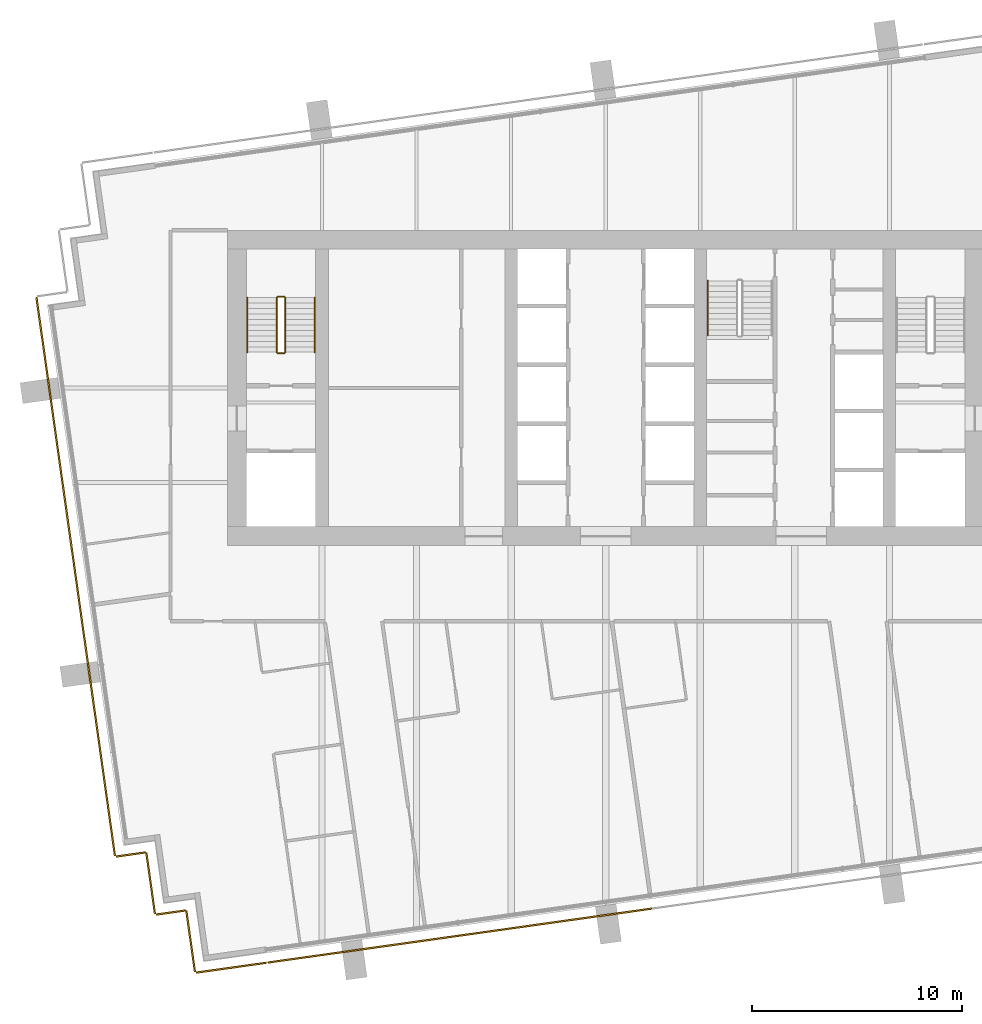
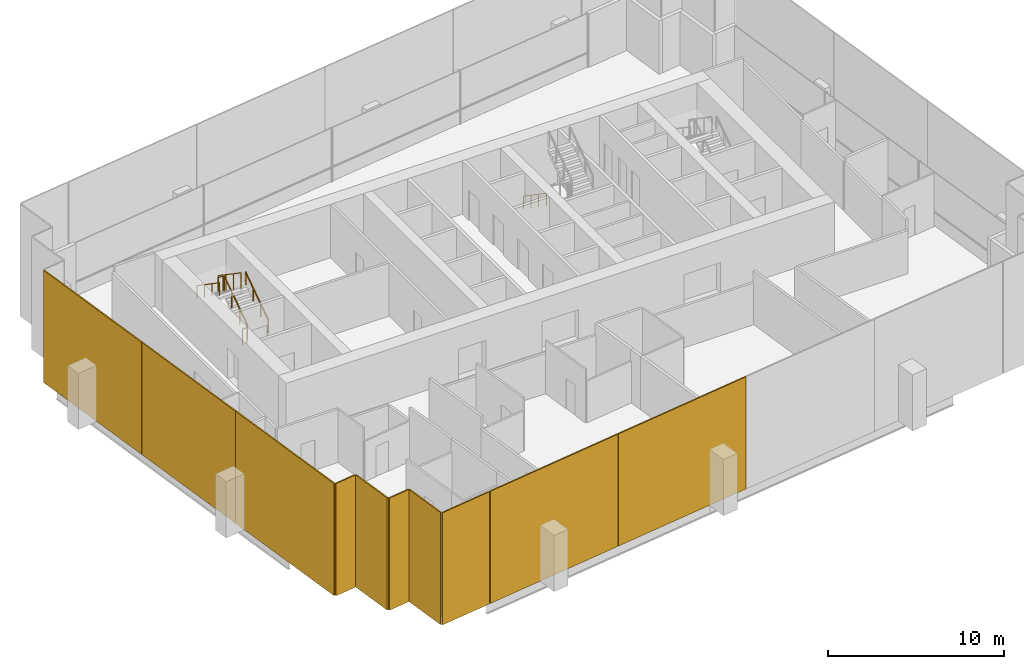
# One storey, part 12 of 15: 10 coverings, 7 railings.
"""IFC4 building model written with IfcOpenShell, lengths in metres."""

from ifc_helpers import new_model, si_unit, direction, frame, origin, origin_2d, place, context, subcontext, project, spatial, rectangle, extrude, material, layer, layer_set, type_object, element, save


model = new_model("IFC4")

# Units and contexts
model_context = context("Model", 3, precision=1e-05, world=origin(), true_north=direction((0.0, 1.0)))
body_context = subcontext(model_context, "Body", "Model", "MODEL_VIEW")
ifc_project = project(units=[si_unit("LENGTHUNIT", "METRE"), si_unit("AREAUNIT", "SQUARE_METRE"), si_unit("VOLUMEUNIT", "CUBIC_METRE"), si_unit("PLANEANGLEUNIT", "RADIAN"), si_unit("MASSUNIT", "GRAM", prefix="KILO")], contexts=[model_context])

# Site, building, storey
site_placement = place(None, origin())
site = spatial("IfcSite", under=ifc_project, at=site_placement, CompositionType="ELEMENT")
building_placement = place(site_placement, origin())
building = spatial("IfcBuilding", under=site, at=building_placement, Name="Rattan Terrace Tower", CompositionType="ELEMENT")
storey_placement = place(building_placement, frame((0.0, 0.0, 266.800048828125)))
storey = spatial("IfcBuildingStorey", under=building, at=storey_placement, Name="L61", CompositionType="ELEMENT", Elevation=266.800048828125)

# Railings
ifc_material_1 = material(Name="Powder-coated steel guard", Category="steel")
railing_type_1 = type_object("IfcRailingType", Name="Core stair guard", PredefinedType="GUARDRAIL", material=ifc_material_1)
railing_1_placement = place(storey_placement, frame((-15.25, 1.699951171875, 0.17724609375)))
element("IfcRailing", 1, at=railing_1_placement, inside=storey, type_object=railing_type_1, Name="L61 S1 stair guard 1", PredefinedType="GUARDRAIL", context=body_context, shape_type="SweptSolid", body=[
    extrude(rectangle(XDim=0.048095703125, YDim=0.048095703125, at=origin_2d()), frame((0.0, 0.0, 1.076171875), z_axis=(0.0, 0.826240473404, 0.563317565952), x_axis=(-1.0, 0.0, 0.0)), (0.0, 0.0, 1.0), 3.14697265625),
    extrude(rectangle(XDim=0.0419921875, YDim=0.0419921875, at=origin_2d()), origin(), (0.0, 0.0, 1.0), 1.052001953125),
    extrude(rectangle(XDim=0.0419921875, YDim=0.0419921875, at=origin_2d()), frame((0.0, 0.86669921875, 0.5908203125)), (0.0, 0.0, 1.0), 1.052001953125),
    extrude(rectangle(XDim=0.0419921875, YDim=0.0419921875, at=origin_2d()), frame((0.0, 1.7333984375, 1.181884765625)), (0.0, 0.0, 1.0), 1.052001953125),
    extrude(rectangle(XDim=0.0419921875, YDim=0.0419921875, at=origin_2d()), frame((0.0, 2.60009765625, 1.772705078125)), (0.0, 0.0, 1.0), 1.052001953125),
])
railing_2_placement = place(storey_placement, frame((-15.300048828125, 4.35009765625, 1.949951171875)))
element("IfcRailing", 2, at=railing_2_placement, inside=storey, type_object=railing_type_1, Name="L61 S1 stair guard 2", PredefinedType="GUARDRAIL", context=body_context, shape_type="SweptSolid", body=[
    extrude(rectangle(XDim=0.048095703125, YDim=0.048095703125, at=origin_2d()), frame((0.0, 0.0, 1.076171875), z_axis=(-1.0, 0.0, 0.0), x_axis=(0.0, -1.0, 0.0)), (0.0, 0.0, 1.0), 0.300048828125),
    extrude(rectangle(XDim=0.0419921875, YDim=0.0419921875, at=origin_2d()), origin(), (0.0, 0.0, 1.0), 1.052001953125),
    extrude(rectangle(XDim=0.0419921875, YDim=0.0419921875, at=origin_2d()), frame((-0.300048828125, 0.0, 0.0)), (0.0, 0.0, 1.0), 1.052001953125),
])
railing_3_placement = place(storey_placement, frame((-15.64990234375, 4.300048828125, 2.127197265625)))
element("IfcRailing", 3, at=railing_3_placement, inside=storey, type_object=railing_type_1, Name="L61 S1 stair guard 3", PredefinedType="GUARDRAIL", context=body_context, shape_type="SweptSolid", body=[
    extrude(rectangle(XDim=0.048095703125, YDim=0.048095703125, at=origin_2d()), frame((0.0, 0.0, 1.076171875), z_axis=(0.0, -0.826240473404, 0.563317565952), x_axis=(1.0, 0.0, 0.0)), (0.0, 0.0, 1.0), 3.14697265625),
    extrude(rectangle(XDim=0.0419921875, YDim=0.0419921875, at=origin_2d()), origin(), (0.0, 0.0, 1.0), 1.052001953125),
    extrude(rectangle(XDim=0.0419921875, YDim=0.0419921875, at=origin_2d()), frame((0.0, -0.86669921875, 0.5908203125)), (0.0, 0.0, 1.0), 1.052001953125),
    extrude(rectangle(XDim=0.0419921875, YDim=0.0419921875, at=origin_2d()), frame((0.0, -1.7333984375, 1.181884765625)), (0.0, 0.0, 1.0), 1.052001953125),
    extrude(rectangle(XDim=0.0419921875, YDim=0.0419921875, at=origin_2d()), frame((0.0, -2.60009765625, 1.772705078125)), (0.0, 0.0, 1.0), 1.052001953125),
])
railing_4_placement = place(storey_placement, frame((-15.300048828125, 1.64990234375, 0.0)))
element("IfcRailing", 4, at=railing_4_placement, inside=storey, type_object=railing_type_1, Name="L61 S1 stair guard 4", PredefinedType="GUARDRAIL", context=body_context, shape_type="SweptSolid", body=[
    extrude(rectangle(XDim=0.048095703125, YDim=0.048095703125, at=origin_2d()), frame((0.0, 0.0, 1.076171875), z_axis=(-1.0, 0.0, 0.0), x_axis=(0.0, -1.0, 0.0)), (0.0, 0.0, 1.0), 0.300048828125),
    extrude(rectangle(XDim=0.0419921875, YDim=0.0419921875, at=origin_2d()), origin(), (0.0, 0.0, 1.0), 1.052001953125),
    extrude(rectangle(XDim=0.0419921875, YDim=0.0419921875, at=origin_2d()), frame((-0.300048828125, 0.0, 0.0)), (0.0, 0.0, 1.0), 1.052001953125),
])
ifc_material_2 = material(Name="Powder-coated steel handrail", Category="steel")
railing_type_2 = type_object("IfcRailingType", Name="Core stair handrail", PredefinedType="HANDRAIL", material=ifc_material_2)
railing_5_placement = place(storey_placement, frame((-13.85009765625, 1.699951171875, 0.17724609375)))
element("IfcRailing", 5, at=railing_5_placement, inside=storey, type_object=railing_type_2, Name="L61 S1 stair handrail 1", PredefinedType="HANDRAIL", context=body_context, shape_type="SweptSolid", body=[
    extrude(rectangle(XDim=0.048095703125, YDim=0.048095703125, at=origin_2d()), frame((0.0, 0.0, 0.8759765625), z_axis=(0.0, 0.826240473404, 0.563317565952), x_axis=(-1.0, 0.0, 0.0)), (0.0, 0.0, 1.0), 3.14697265625),
    extrude(rectangle(XDim=0.0419921875, YDim=0.0419921875, at=origin_2d()), origin(), (0.0, 0.0, 1.0), 0.851806640625),
    extrude(rectangle(XDim=0.0419921875, YDim=0.0419921875, at=origin_2d()), frame((0.0, 0.86669921875, 0.5908203125)), (0.0, 0.0, 1.0), 0.851806640625),
    extrude(rectangle(XDim=0.0419921875, YDim=0.0419921875, at=origin_2d()), frame((0.0, 1.7333984375, 1.181884765625)), (0.0, 0.0, 1.0), 0.851806640625),
    extrude(rectangle(XDim=0.0419921875, YDim=0.0419921875, at=origin_2d()), frame((0.0, 2.60009765625, 1.772705078125)), (0.0, 0.0, 1.0), 0.851806640625),
])
for number, where, name in (
    (6, (-17.050048828125, 4.300048828125, 2.127197265625), "L61 S1 stair handrail 2"),
    (7, (4.85009765625, 5.10009765625, 0.17724609375), "L61 S3 stair handrail 1"),
):
    element("IfcRailing", number, at=place(storey_placement, frame(where)), inside=storey, type_object=railing_type_2, Name=name, PredefinedType="HANDRAIL", context=body_context, shape_type="SweptSolid", body=[
        extrude(rectangle(XDim=0.048095703125, YDim=0.048095703125, at=origin_2d()), frame((0.0, 0.0, 0.8759765625), z_axis=(0.0, -0.826240473404, 0.563317565952), x_axis=(1.0, 0.0, 0.0)), (0.0, 0.0, 1.0), 3.14697265625),
        extrude(rectangle(XDim=0.0419921875, YDim=0.0419921875, at=origin_2d()), origin(), (0.0, 0.0, 1.0), 0.851806640625),
        extrude(rectangle(XDim=0.0419921875, YDim=0.0419921875, at=origin_2d()), frame((0.0, -0.86669921875, 0.5908203125)), (0.0, 0.0, 1.0), 0.851806640625),
        extrude(rectangle(XDim=0.0419921875, YDim=0.0419921875, at=origin_2d()), frame((0.0, -1.7333984375, 1.181884765625)), (0.0, 0.0, 1.0), 0.851806640625),
        extrude(rectangle(XDim=0.0419921875, YDim=0.0419921875, at=origin_2d()), frame((0.0, -2.60009765625, 1.772705078125)), (0.0, 0.0, 1.0), 0.851806640625),
    ])

# Coverings
ifc_material_3 = material(Name="Perforated terracotta", Category="masonry")
ifc_layer = layer(ifc_material_3, 0.080078125)
ifc_layer_set = layer_set([ifc_layer], Name="Facade Terracotta Screen Panel HZ")
covering_type = type_object("IfcCoveringType", Name="Facade Terracotta Screen Panel HZ", PredefinedType="CLADDING", material=ifc_layer_set)
covering_1_placement = place(storey_placement, frame((-26.45263671875, -0.183349609375, -0.18994140625), z_axis=(0.0, 0.0, 1.0), x_axis=(0.139191775431, -0.990265444036, 0.0)))
element("IfcCovering", 8, at=covering_1_placement, inside=storey, type_object=covering_type, Name="OUTER SKIN panel L61-23", PredefinedType="CLADDING", context=body_context, shape_type="SweptSolid", body=[
    extrude(rectangle(XDim=9.06689453125, YDim=0.080078125, at=origin_2d()), origin(), (0.0, 0.0, 1.0), 7.780029296875),
])
covering_2_placement = place(storey_placement, frame((-25.217041015625, -8.973876953125, -0.18994140625), z_axis=(0.0, 0.0, 1.0), x_axis=(0.139191775431, -0.990265444036, 0.0)))
element("IfcCovering", 9, at=covering_2_placement, inside=storey, type_object=covering_type, Name="OUTER SKIN panel L61-24", PredefinedType="CLADDING", context=body_context, shape_type="SweptSolid", body=[
    extrude(rectangle(XDim=8.64697265625, YDim=0.080078125, at=origin_2d()), origin(), (0.0, 0.0, 1.0), 7.780029296875),
])
covering_3_placement = place(storey_placement, frame((-23.9814453125, -17.76416015625, -0.18994140625), z_axis=(0.0, 0.0, 1.0), x_axis=(0.139191775431, -0.990265444036, 0.0)))
element("IfcCovering", 10, at=covering_3_placement, inside=storey, type_object=covering_type, Name="OUTER SKIN panel L61-25", PredefinedType="CLADDING", context=body_context, shape_type="SweptSolid", body=[
    extrude(rectangle(XDim=9.066162109375, YDim=0.080078125, at=origin_2d()), origin(), (0.0, 0.0, 1.0), 7.780029296875),
])
covering_4_placement = place(storey_placement, frame((-22.591064453125, -22.19677734375, -0.18994140625), z_axis=(0.0, 0.0, 1.0), x_axis=(0.990240767803, 0.139367219175, 0.0)))
element("IfcCovering", 11, at=covering_4_placement, inside=storey, type_object=covering_type, Name="OUTER SKIN panel L61-26", PredefinedType="CLADDING", context=body_context, shape_type="SweptSolid", body=[
    extrude(rectangle(XDim=1.419677734375, YDim=0.080078125, at=origin_2d()), origin(), (0.0, 0.0, 1.0), 7.780029296875),
])
covering_5_placement = place(storey_placement, frame((-21.65087890625, -23.569091796875, -0.18994140625), z_axis=(0.0, 0.0, 1.0), x_axis=(0.139321220646, -0.990247240581, 0.0)))
element("IfcCovering", 12, at=covering_5_placement, inside=storey, type_object=covering_type, Name="OUTER SKIN panel L61-27", PredefinedType="CLADDING", context=body_context, shape_type="SweptSolid", body=[
    extrude(rectangle(XDim=2.919921875, YDim=0.080078125, at=origin_2d()), origin(), (0.0, 0.0, 1.0), 7.780029296875),
])
covering_6_placement = place(storey_placement, frame((-20.68798828125, -24.958984375, -0.18994140625), z_axis=(0.0, 0.0, 1.0), x_axis=(0.990332587523, 0.138713251317, 0.0)))
element("IfcCovering", 13, at=covering_6_placement, inside=storey, type_object=covering_type, Name="OUTER SKIN panel L61-28", PredefinedType="CLADDING", context=body_context, shape_type="SweptSolid", body=[
    extrude(rectangle(XDim=1.41943359375, YDim=0.080078125, at=origin_2d()), origin(), (0.0, 0.0, 1.0), 7.780029296875),
])
covering_7_placement = place(storey_placement, frame((-19.747802734375, -26.33154296875, -0.18994140625), z_axis=(0.0, 0.0, 1.0), x_axis=(0.139367219175, -0.990240767803, 0.0)))
element("IfcCovering", 14, at=covering_7_placement, inside=storey, type_object=covering_type, Name="OUTER SKIN panel L61-29", PredefinedType="CLADDING", context=body_context, shape_type="SweptSolid", body=[
    extrude(rectangle(XDim=2.91943359375, YDim=0.080078125, at=origin_2d()), origin(), (0.0, 0.0, 1.0), 7.780029296875),
])
covering_8_placement = place(storey_placement, frame((-17.81982421875, -27.585205078125, -0.18994140625), z_axis=(0.0, 0.0, 1.0), x_axis=(0.990286729519, 0.139040257974, 0.0)))
element("IfcCovering", 15, at=covering_8_placement, inside=storey, type_object=covering_type, Name="OUTER SKIN panel L61-30", PredefinedType="CLADDING", context=body_context, shape_type="SweptSolid", body=[
    extrude(rectangle(XDim=3.368896484375, YDim=0.080078125, at=origin_2d()), origin(), (0.0, 0.0, 1.0), 7.780029296875),
])
covering_9_placement = place(storey_placement, frame((-11.517578125, -26.69970703125, -0.18994140625), z_axis=(0.0, 0.0, 1.0), x_axis=(0.990265894013, 0.139188574079, 0.0)))
element("IfcCovering", 16, at=covering_9_placement, inside=storey, type_object=covering_type, Name="OUTER SKIN panel L61-31", PredefinedType="CLADDING", context=body_context, shape_type="SweptSolid", body=[
    extrude(rectangle(XDim=9.198974609375, YDim=0.080078125, at=origin_2d()), origin(), (0.0, 0.0, 1.0), 7.780029296875),
])
covering_10_placement = place(storey_placement, frame((-2.37353515625, -25.41455078125, -0.18994140625), z_axis=(0.0, 0.0, 1.0), x_axis=(0.990265894013, 0.139188574079, 0.0)))
element("IfcCovering", 17, at=covering_10_placement, inside=storey, type_object=covering_type, Name="OUTER SKIN panel L61-32", PredefinedType="CLADDING", context=body_context, shape_type="SweptSolid", body=[
    extrude(rectangle(XDim=9.22900390625, YDim=0.080078125, at=origin_2d()), origin(), (0.0, 0.0, 1.0), 7.780029296875),
])

save(model, "model.ifc")
